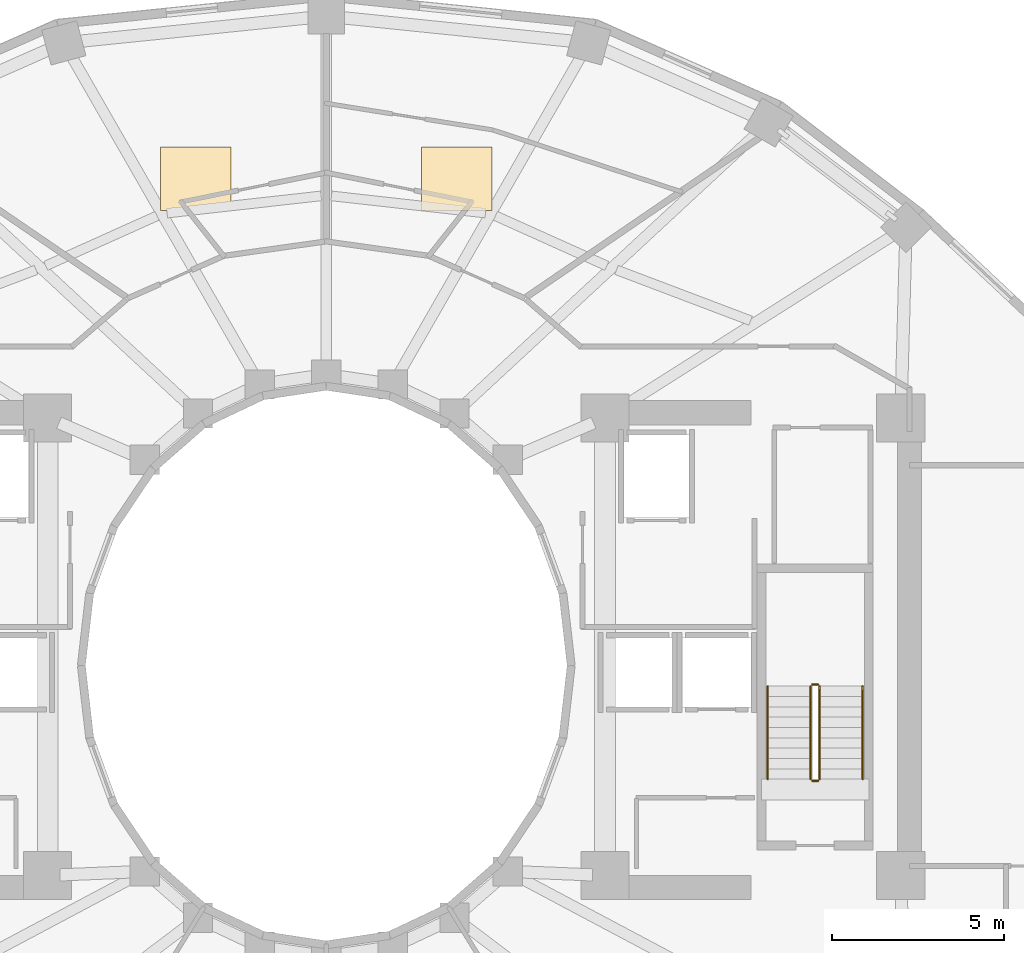
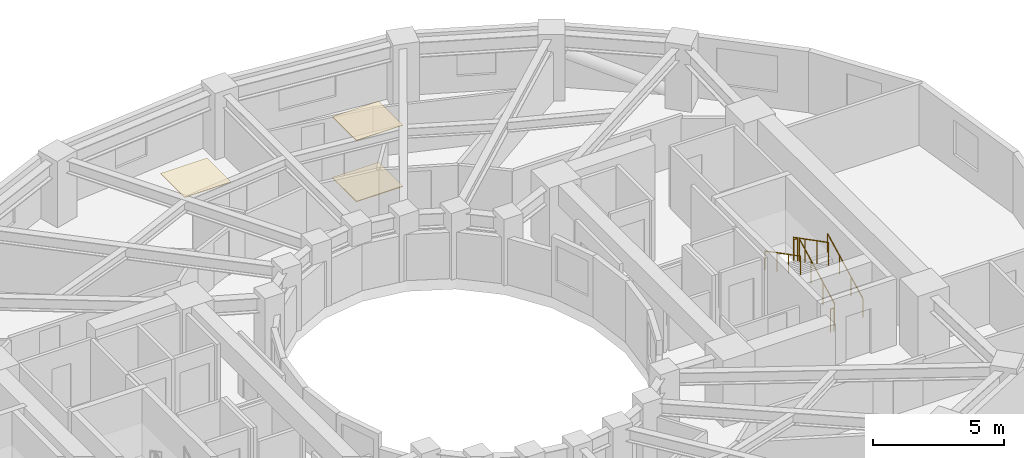
# One storey, part 9 of 9: 6 railings, 3 coverings.
"""IFC4 building model written with IfcOpenShell, lengths in metres."""

import ifcopenshell
import ifcopenshell.guid

model = None  # the IFC model being written
_history = None  # IfcOwnerHistory: only IFC2X3 demands one
_inside = {}  # id of a spatial element -> (the spatial element, [elements in it])
_under = {}  # id of a project, library or spatial element -> (it, [spatial elements below it])
_declared = {}  # id of a project -> (the project, [libraries it declares])
_typed = {}  # id of a type object -> (the type object, [elements of that type])
_made_of = {}  # id of a material, layer set ... -> (it, [elements and type objects made of it])


def new_model(schema):
    """Start an empty IFC model of exactly this schema.

    Asked for "IFC4X3", IfcOpenShell would pick the latest addendum, in which some entities
    have other attributes; the version numbers below select the first issue.
    IFC2X3 requires an IfcOwnerHistory on every rooted entity: one is made here for all.
    """
    global model, _history
    if schema == "IFC4X3":
        model = ifcopenshell.file(schema_version=(4, 3, 0, 0))
    else:
        model = ifcopenshell.file(schema=schema)
    _inside.clear()
    _under.clear()
    _declared.clear()
    _typed.clear()
    _made_of.clear()
    _history = None
    if model.schema == "IFC2X3":
        org = make("IfcOrganization", Name="unknown")
        user = make(
            "IfcPersonAndOrganization",
            ThePerson=make("IfcPerson", FamilyName="unknown"),
            TheOrganization=org,
        )
        app = make(
            "IfcApplication",
            ApplicationDeveloper=org,
            Version="unknown",
            ApplicationFullName="unknown",
            ApplicationIdentifier="unknown",
        )
        _history = make(
            "IfcOwnerHistory",
            OwningUser=user,
            OwningApplication=app,
            ChangeAction="ADDED",
            CreationDate=0,
        )
    return model


def make(cls, **values):
    """One entity of the class cls with the attributes given. An attribute that is None is left unset."""
    return model.create_entity(
        cls, **{name: value for name, value in values.items() if value is not None}
    )


def rooted(cls, **values):
    """An entity with a GlobalId (a new one), such as an element, a storey or a relation."""
    return make(cls, GlobalId=ifcopenshell.guid.new(), OwnerHistory=_history, **values)


def si_unit(unit_type, name, prefix=None):
    """IfcSIUnit, for example si_unit("LENGTHUNIT", "METRE", prefix="MILLI")."""
    return make("IfcSIUnit", UnitType=unit_type, Prefix=prefix, Name=name)


def assignment(units):
    """IfcUnitAssignment: the units of a project."""
    return None if units is None else make("IfcUnitAssignment", Units=units)


def point(xyz):
    """IfcCartesianPoint."""
    return None if xyz is None else make("IfcCartesianPoint", Coordinates=xyz)


def direction(xyz):
    """IfcDirection."""
    return None if xyz is None else make("IfcDirection", DirectionRatios=xyz)


def frame(location, z_axis=None, x_axis=None):
    """IfcAxis2Placement3D, a coordinate frame: its origin and axes. An axis left out is left unset."""
    return make(
        "IfcAxis2Placement3D",
        Location=point(location),
        Axis=direction(z_axis),
        RefDirection=direction(x_axis),
    )


def frame_2d(location, x_axis=None):
    """IfcAxis2Placement2D, a coordinate frame in the plane: its origin and x axis."""
    return make(
        "IfcAxis2Placement2D", Location=point(location), RefDirection=direction(x_axis)
    )


def origin():
    """The frame at (0, 0, 0) with its axes left unset."""
    return frame((0.0, 0.0, 0.0))


def origin_2d():
    """The frame at (0, 0) in the plane with its x axis left unset."""
    return frame_2d((0.0, 0.0))


def place(relative_to, where):
    """IfcLocalPlacement: puts the frame where relative to a parent placement (None: the world)."""
    return make(
        "IfcLocalPlacement", PlacementRelTo=relative_to, RelativePlacement=where
    )


def context(
    kind, dimensions, precision=None, world=None, true_north=None, identifier=None
):
    """IfcGeometricRepresentationContext, for example the 3D "Model" context."""
    return make(
        "IfcGeometricRepresentationContext",
        ContextIdentifier=identifier,
        ContextType=kind,
        CoordinateSpaceDimension=dimensions,
        Precision=precision,
        WorldCoordinateSystem=world,
        TrueNorth=true_north,
    )


def subcontext(parent, identifier, kind, view, scale=None):
    """IfcGeometricRepresentationSubContext, for example "Body" below "Model"."""
    return make(
        "IfcGeometricRepresentationSubContext",
        ContextIdentifier=identifier,
        ContextType=kind,
        ParentContext=parent,
        TargetScale=scale,
        TargetView=view,
    )


def project(units=None, contexts=None):
    """IfcProject with its units and contexts."""
    return rooted(
        "IfcProject",
        Name="project",
        RepresentationContexts=contexts,
        UnitsInContext=assignment(units),
    )


def spatial(cls, under=None, at=None, **own):
    """A site, building, storey or space (cls), placed at a placement, below another one or the project."""
    s = rooted(cls, ObjectPlacement=at, **own)
    if under is not None:
        _under.setdefault(under.id(), (under, []))[1].append(s)
    return s


def polyline(points):
    """IfcPolyline through the points."""
    return make("IfcPolyline", Points=[point(p) for p in points])


def profile(cls, at=None, kind="AREA", **sizes):
    """A parametric profile (cls). Its sizes go by their IFC names, for example OverallWidth=200.0."""
    return make(cls, ProfileType=kind, Position=at, **sizes)


def circle(**sizes):
    """IfcCircleProfileDef."""
    return profile("IfcCircleProfileDef", **sizes)


def outline(outer, holes=None, kind="AREA"):
    """IfcArbitraryClosedProfileDef: a profile drawn as a closed curve; with holes, ...WithVoids."""
    if holes is None:
        return make("IfcArbitraryClosedProfileDef", ProfileType=kind, OuterCurve=outer)
    return make(
        "IfcArbitraryProfileDefWithVoids",
        ProfileType=kind,
        OuterCurve=outer,
        InnerCurves=holes,
    )


def extrude(swept, where, along, depth):
    """IfcExtrudedAreaSolid: the profile swept, set in the frame where, extruded along a direction by depth."""
    return make(
        "IfcExtrudedAreaSolid",
        SweptArea=swept,
        Position=where,
        ExtrudedDirection=direction(along),
        Depth=depth,
    )


def shape(context_of_items, identifier, shape_type, items):
    """IfcShapeRepresentation: the items that make up one representation, for example the "Body"."""
    return make(
        "IfcShapeRepresentation",
        ContextOfItems=context_of_items,
        RepresentationIdentifier=identifier,
        RepresentationType=shape_type,
        Items=items,
    )


def material(Name=None, Category=None):
    """IfcMaterial."""
    return make("IfcMaterial", Name=Name, Category=Category)


def layer(
    of_material, thickness, ventilated=None, Name=None, Category=None, Priority=None
):
    """IfcMaterialLayer: one layer of a wall or slab, of a material (None: an air gap)."""
    return make(
        "IfcMaterialLayer",
        Material=of_material,
        LayerThickness=thickness,
        IsVentilated=ventilated,
        Name=Name,
        Category=Category,
        Priority=Priority,
    )


def layer_set(layers, Name=None):
    """IfcMaterialLayerSet."""
    return make("IfcMaterialLayerSet", MaterialLayers=layers, LayerSetName=Name)


def made_of(thing, what):
    """Note that an element or type object is made of a material, layer set ...; save() writes the relation."""
    if what is not None:
        _made_of.setdefault(what.id(), (what, []))[1].append(thing)
    return thing


def type_object(cls, material=None, **own):
    """A type object (cls), such as IfcWallType, which elements share."""
    return made_of(rooted(cls, **own), material)


def element(
    cls,
    number,
    at=None,
    inside=None,
    cuts=None,
    type_object=None,
    material=None,
    context=None,
    identifier="Body",
    shape_type=None,
    held_by="IfcProductDefinitionShape",
    body=None,
    shapes=None,
    **own,
):
    """One element of the class cls, such as IfcWall. Its Tag is "e" and its number.

    at: its placement. inside: the storey or other place that contains it. cuts: it is an
    opening in that element (IfcRelVoidsElement). A single representation is given by context,
    identifier, shape_type and body (its items); several are given by shapes. held_by: the class
    of the entity that holds the representations. save() writes the other relations.
    """
    e = rooted(cls, Tag="e%d" % number, ObjectPlacement=at, **own)
    if body is not None:
        shapes = [shape(context, identifier, shape_type, body)]
    if shapes is not None:
        e.Representation = make(held_by, Representations=shapes)
    if inside is not None:
        _inside.setdefault(inside.id(), (inside, []))[1].append(e)
    if cuts is not None:
        rooted(
            "IfcRelVoidsElement", RelatingBuildingElement=cuts, RelatedOpeningElement=e
        )
    if type_object is not None:
        _typed.setdefault(type_object.id(), (type_object, []))[1].append(e)
    return made_of(e, material)


def aggregate(whole, parts):
    """IfcRelAggregates: a whole, such as a stair, and the parts it consists of."""
    return rooted("IfcRelAggregates", RelatingObject=whole, RelatedObjects=parts)


def save(model, path):
    """Write the relations noted so far, then the file.

    IfcRelAggregates (storeys below a building ...), IfcRelContainedInSpatialStructure (elements
    in a storey), IfcRelDefinesByType, IfcRelAssociatesMaterial and IfcRelDeclares: one each for
    every whole, place, type object, material and project.
    """
    for whole, parts in _under.values():
        aggregate(whole, parts)
    for where, things in _inside.values():
        rooted(
            "IfcRelContainedInSpatialStructure",
            RelatedElements=things,
            RelatingStructure=where,
        )
    for kind, things in _typed.values():
        rooted("IfcRelDefinesByType", RelatedObjects=things, RelatingType=kind)
    for what, things in _made_of.values():
        rooted("IfcRelAssociatesMaterial", RelatedObjects=things, RelatingMaterial=what)
    for by, libraries in _declared.values():
        rooted("IfcRelDeclares", RelatingContext=by, RelatedDefinitions=libraries)
    model.write(path)


model = new_model("IFC4")

# Units and contexts
model_context = context("Model", 3, precision=1e-05, world=origin(), true_north=direction((0.0, 1.0)))
body_context = subcontext(model_context, "Body", "Model", "MODEL_VIEW")
ifc_project = project(units=[si_unit("LENGTHUNIT", "METRE"), si_unit("AREAUNIT", "SQUARE_METRE"), si_unit("VOLUMEUNIT", "CUBIC_METRE"), si_unit("PLANEANGLEUNIT", "RADIAN"), si_unit("MASSUNIT", "GRAM", prefix="KILO")], contexts=[model_context])

# Site, building, storey
site_placement = place(None, origin())
site = spatial("IfcSite", under=ifc_project, at=site_placement, CompositionType="ELEMENT")
building_placement = place(site_placement, origin())
building = spatial("IfcBuilding", under=site, at=building_placement, Name="Solvane Sanctuary Tower", CompositionType="ELEMENT")
storey_placement = place(building_placement, frame((0.0, 0.0, 113.5)))
storey = spatial("IfcBuildingStorey", under=building, at=storey_placement, Name="L34", CompositionType="ELEMENT", Elevation=113.5)

# Coverings
ifc_material_1 = material(Name="Acoustic Gypsum Partition Board")
ifc_layer_1 = layer(ifc_material_1, 0.02490234375, Name="Acoustic Gypsum Partition Board")
ifc_layer_set_1 = layer_set([ifc_layer_1], Name="Acoustic Gypsum Partition Board")
covering_type_1 = type_object("IfcCoveringType", Name="Covering CLG-ACOUST", PredefinedType="CEILING", material=ifc_layer_set_1)
covering_1_placement = place(storey_placement, frame((0.0, 0.0, 2.85009765625)))
element("IfcCovering", 1, at=covering_1_placement, inside=storey, type_object=covering_type_1, Name="L34 Unit Acoustic Ceiling Panel 1", PredefinedType="CEILING", context=body_context, shape_type="SweptSolid", body=[
    extrude(outline(polyline([(34.76708984375, 36.22607421875), (36.81689453125, 36.22607421875), (36.81689453125, 38.075927734375), (34.76708984375, 38.075927734375), (34.76708984375, 36.22607421875)])), origin(), (0.0, 0.0, 1.0), 0.02978515625),
])
covering_2_placement = place(storey_placement, frame((0.0, 0.0, 2.85009765625)))
element("IfcCovering", 2, at=covering_2_placement, inside=storey, type_object=covering_type_1, Name="L34 Unit Acoustic Ceiling Panel 2", PredefinedType="CEILING", context=body_context, shape_type="SweptSolid", body=[
    extrude(outline(polyline([(27.18310546875, 36.22607421875), (29.23291015625, 36.22607421875), (29.23291015625, 38.075927734375), (27.18310546875, 38.075927734375), (27.18310546875, 36.22607421875)])), origin(), (0.0, 0.0, 1.0), 0.02978515625),
])
ifc_material_2 = material(Name="Ceramic Tile Finish")
ifc_layer_2 = layer(ifc_material_2, 0.030029296875, Name="Ceramic Tile Finish")
ifc_layer_set_2 = layer_set([ifc_layer_2], Name="Ceramic Tile Finish")
covering_type_2 = type_object("IfcCoveringType", Name="Covering FLR-TERRAZZO", PredefinedType="FLOORING", material=ifc_layer_set_2)
covering_3_placement = place(storey_placement, origin())
element("IfcCovering", 3, at=covering_3_placement, inside=storey, type_object=covering_type_2, Name="L34 Unit Terrazzo Inlay 1", PredefinedType="FLOORING", context=body_context, shape_type="SweptSolid", body=[
    extrude(outline(polyline([(34.76708984375, 36.22607421875), (36.81689453125, 36.22607421875), (36.81689453125, 38.075927734375), (34.76708984375, 38.075927734375), (34.76708984375, 36.22607421875)])), origin(), (0.0, 0.0, 1.0), 0.034912109375),
])

# Railings
ifc_material_3 = material(Name="Architectural Stainless Steel 316", Category="steel")
railing_type_1 = type_object("IfcRailingType", Name="Railing GR-BALC-1150", PredefinedType="BALUSTRADE", material=ifc_material_3)
railing_1_placement = place(storey_placement, frame((46.340087890625, 19.699951171875, 0.155029296875)))
element("IfcRailing", 4, at=railing_1_placement, inside=storey, type_object=railing_type_1, Name="L34 ST-2 stair guard 1", PredefinedType="BALUSTRADE", context=body_context, shape_type="SweptSolid", body=[
    extrude(circle(Radius=0.02392578125, at=origin_2d()), frame((0.0, 0.0, 1.076171875), z_axis=(0.0, 0.888419900624, 0.459031676658), x_axis=(-1.0, 0.0, 0.0)), (0.0, 0.0, 1.0), 3.0390625),
    extrude(circle(Radius=0.02099609375, at=origin_2d()), origin(), (0.0, 0.0, 1.0), 1.052001953125),
    extrude(circle(Radius=0.02099609375, at=origin_2d()), frame((0.0, 0.89990234375, 0.465087890625)), (0.0, 0.0, 1.0), 1.052001953125),
    extrude(circle(Radius=0.02099609375, at=origin_2d()), frame((0.0, 1.800048828125, 0.929931640625)), (0.0, 0.0, 1.0), 1.052001953125),
    extrude(circle(Radius=0.02099609375, at=origin_2d()), frame((0.0, 2.699951171875, 1.39501953125)), (0.0, 0.0, 1.0), 1.052001953125),
])
railing_2_placement = place(storey_placement, frame((46.2900390625, 22.449951171875, 1.550048828125)))
element("IfcRailing", 5, at=railing_2_placement, inside=storey, type_object=railing_type_1, Name="L34 ST-2 stair guard 2", PredefinedType="BALUSTRADE", context=body_context, shape_type="SweptSolid", body=[
    extrude(circle(Radius=0.02392578125, at=origin_2d()), frame((0.0, 0.0, 1.076171875), z_axis=(-1.0, 0.0, 0.0), x_axis=(0.0, -1.0, 0.0)), (0.0, 0.0, 1.0), 0.16015625),
    extrude(circle(Radius=0.02099609375, at=origin_2d()), origin(), (0.0, 0.0, 1.0), 1.052001953125),
    extrude(circle(Radius=0.02099609375, at=origin_2d()), frame((-0.16015625, 0.0, 0.0)), (0.0, 0.0, 1.0), 1.052001953125),
])
railing_3_placement = place(storey_placement, frame((46.080078125, 22.39990234375, 1.705078125)))
element("IfcRailing", 6, at=railing_3_placement, inside=storey, type_object=railing_type_1, Name="L34 ST-2 stair guard 3", PredefinedType="BALUSTRADE", context=body_context, shape_type="SweptSolid", body=[
    extrude(circle(Radius=0.02392578125, at=origin_2d()), frame((0.0, 0.0, 1.076171875), z_axis=(0.0, -0.888419900624, 0.459031676658), x_axis=(1.0, 0.0, 0.0)), (0.0, 0.0, 1.0), 3.0390625),
    extrude(circle(Radius=0.02099609375, at=origin_2d()), origin(), (0.0, 0.0, 1.0), 1.052001953125),
    extrude(circle(Radius=0.02099609375, at=origin_2d()), frame((0.0, -0.89990234375, 0.465087890625)), (0.0, 0.0, 1.0), 1.052001953125),
    extrude(circle(Radius=0.02099609375, at=origin_2d()), frame((0.0, -1.800048828125, 0.929931640625)), (0.0, 0.0, 1.0), 1.052001953125),
    extrude(circle(Radius=0.02099609375, at=origin_2d()), frame((0.0, -2.699951171875, 1.39501953125)), (0.0, 0.0, 1.0), 1.052001953125),
])
railing_4_placement = place(storey_placement, frame((46.2900390625, 19.64990234375, 0.0)))
element("IfcRailing", 7, at=railing_4_placement, inside=storey, type_object=railing_type_1, Name="L34 ST-2 stair guard 4", PredefinedType="BALUSTRADE", context=body_context, shape_type="SweptSolid", body=[
    extrude(circle(Radius=0.02392578125, at=origin_2d()), frame((0.0, 0.0, 1.076171875), z_axis=(-1.0, 0.0, 0.0), x_axis=(0.0, -1.0, 0.0)), (0.0, 0.0, 1.0), 0.16015625),
    extrude(circle(Radius=0.02099609375, at=origin_2d()), origin(), (0.0, 0.0, 1.0), 1.052001953125),
    extrude(circle(Radius=0.02099609375, at=origin_2d()), frame((-0.16015625, 0.0, 0.0)), (0.0, 0.0, 1.0), 1.052001953125),
])
railing_type_2 = type_object("IfcRailingType", Name="Railing HR-STAIR-920", PredefinedType="HANDRAIL", material=ifc_material_3)
railing_5_placement = place(storey_placement, frame((47.590087890625, 19.699951171875, 0.155029296875)))
element("IfcRailing", 8, at=railing_5_placement, inside=storey, type_object=railing_type_2, Name="L34 ST-2 stair handrail 1", PredefinedType="HANDRAIL", context=body_context, shape_type="SweptSolid", body=[
    extrude(circle(Radius=0.02392578125, at=origin_2d()), frame((0.0, 0.0, 0.8759765625), z_axis=(0.0, 0.888419900624, 0.459031676658), x_axis=(-1.0, 0.0, 0.0)), (0.0, 0.0, 1.0), 3.0390625),
    extrude(circle(Radius=0.02099609375, at=origin_2d()), origin(), (0.0, 0.0, 1.0), 0.851806640625),
    extrude(circle(Radius=0.02099609375, at=origin_2d()), frame((0.0, 0.89990234375, 0.465087890625)), (0.0, 0.0, 1.0), 0.851806640625),
    extrude(circle(Radius=0.02099609375, at=origin_2d()), frame((0.0, 1.800048828125, 0.929931640625)), (0.0, 0.0, 1.0), 0.851806640625),
    extrude(circle(Radius=0.02099609375, at=origin_2d()), frame((0.0, 2.699951171875, 1.39501953125)), (0.0, 0.0, 1.0), 0.851806640625),
])
railing_6_placement = place(storey_placement, frame((44.830078125, 22.39990234375, 1.705078125)))
element("IfcRailing", 9, at=railing_6_placement, inside=storey, type_object=railing_type_2, Name="L34 ST-2 stair handrail 2", PredefinedType="HANDRAIL", context=body_context, shape_type="SweptSolid", body=[
    extrude(circle(Radius=0.02392578125, at=origin_2d()), frame((0.0, 0.0, 0.8759765625), z_axis=(0.0, -0.888419900624, 0.459031676658), x_axis=(1.0, 0.0, 0.0)), (0.0, 0.0, 1.0), 3.0390625),
    extrude(circle(Radius=0.02099609375, at=origin_2d()), origin(), (0.0, 0.0, 1.0), 0.851806640625),
    extrude(circle(Radius=0.02099609375, at=origin_2d()), frame((0.0, -0.89990234375, 0.465087890625)), (0.0, 0.0, 1.0), 0.851806640625),
    extrude(circle(Radius=0.02099609375, at=origin_2d()), frame((0.0, -1.800048828125, 0.929931640625)), (0.0, 0.0, 1.0), 0.851806640625),
    extrude(circle(Radius=0.02099609375, at=origin_2d()), frame((0.0, -2.699951171875, 1.39501953125)), (0.0, 0.0, 1.0), 0.851806640625),
])

save(model, "model.ifc")
